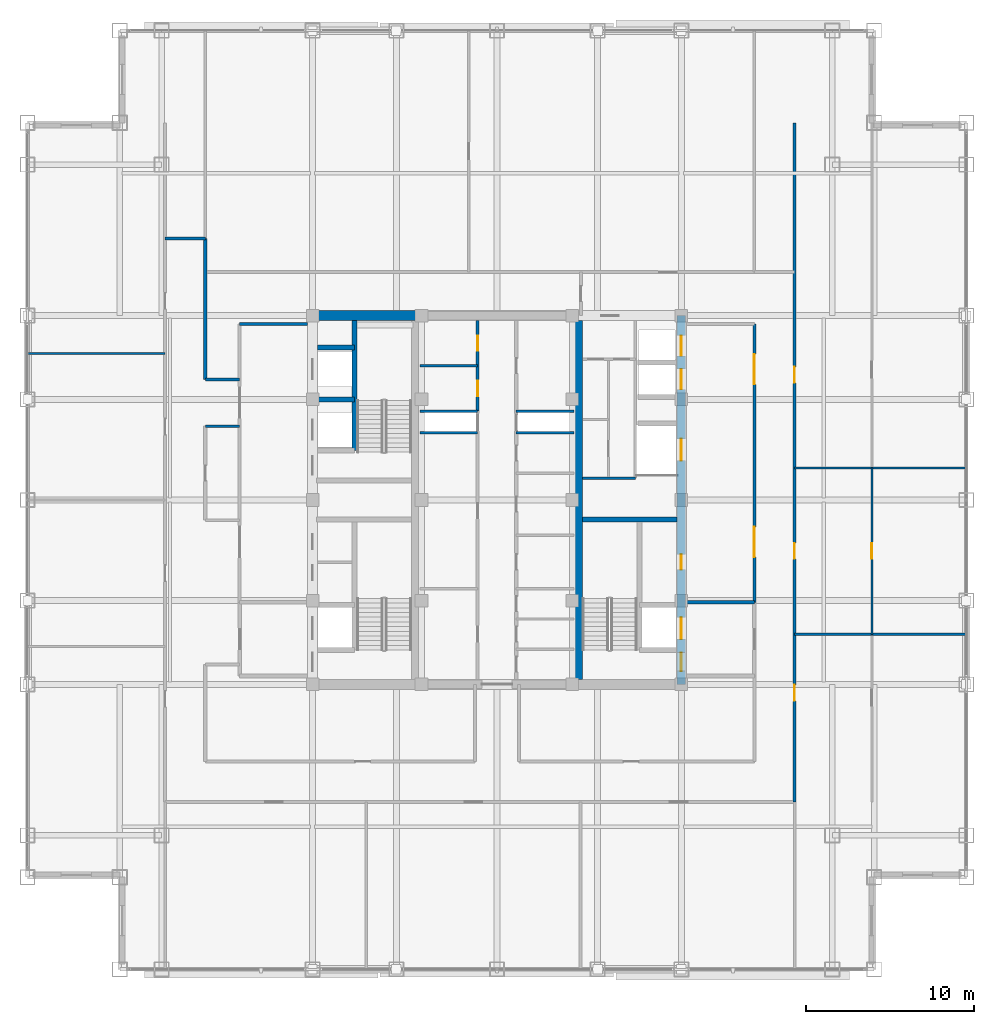
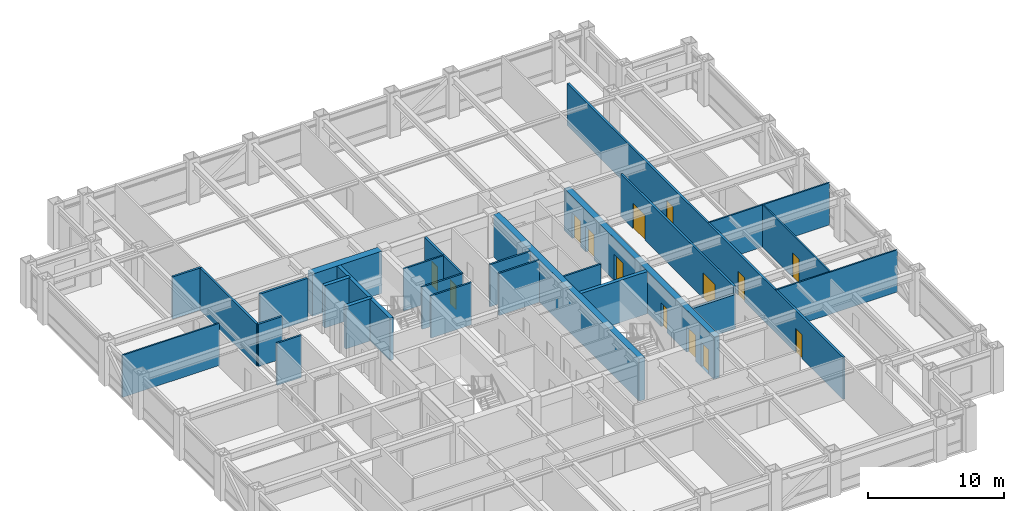
# One storey, part 20 of 27: 26 walls, 14 doors, 14 openings.
"""IFC4 building model written with IfcOpenShell, lengths in metres."""

from ifc_helpers import new_model, si_unit, direction, frame, frame_2d, origin, place, context, subcontext, project, spatial, rectangle, extrude, source, transform, mapped, material, layer, layer_set, type_object, element, fill, save


model = new_model("IFC4")

# Units and contexts
model_context = context("Model", 3, precision=1e-05, world=origin(), true_north=direction((0.0, 1.0)))
body_context = subcontext(model_context, "Body", "Model", "MODEL_VIEW")
ifc_project = project(units=[si_unit("LENGTHUNIT", "METRE"), si_unit("AREAUNIT", "SQUARE_METRE"), si_unit("VOLUMEUNIT", "CUBIC_METRE"), si_unit("PLANEANGLEUNIT", "RADIAN"), si_unit("MASSUNIT", "GRAM", prefix="KILO")], contexts=[model_context])

# Site, building, storey
site_placement = place(None, origin())
site = spatial("IfcSite", under=ifc_project, at=site_placement, CompositionType="ELEMENT")
building_placement = place(site_placement, origin())
building = spatial("IfcBuilding", under=site, at=building_placement, Name="Khorayat Bourse Tower", CompositionType="ELEMENT")
storey_placement = place(building_placement, frame((0.0, 0.0, 317.5)))
storey = spatial("IfcBuildingStorey", under=building, at=storey_placement, Name="L75", CompositionType="ELEMENT", Elevation=317.5)

# Wall, openings, doors
ifc_material_1 = material(Name="Concrete C52/65", Category="concrete")
ifc_layer_1 = layer(ifc_material_1, 0.5)
ifc_layer_set_1 = layer_set([ifc_layer_1], Name="Concrete C52/65")
wall_type_1 = type_object("IfcWallType", Name="WAL-CORE-500", PredefinedType="SHEAR", material=ifc_layer_set_1)
shared_shape_1 = source(origin(), body_context, "Body", "SweptSolid", [
    extrude(rectangle(XDim=22.0, YDim=0.5, at=frame_2d((11.0, 0.0))), origin(), (0.0, 0.0, 1.0), 3.780029296875),
])
wall_1_placement = place(storey_placement, frame((11.0, -11.0, 0.0), z_axis=(0.0, 0.0, 1.0), x_axis=(0.0, 1.0, 0.0)))
wall_1 = element("IfcWall", 1, at=wall_1_placement, inside=storey, type_object=wall_type_1, Name="L75 Core Shear Wall CORE-E", PredefinedType="SHEAR", context=body_context, shape_type="MappedRepresentation", body=[
    mapped(shared_shape_1, transform((0.0, 0.0, 0.0), scale=1.0)),
])
shared_shape_2 = source(origin(), body_context, "Body", "SweptSolid", [
    extrude(rectangle(XDim=1.10009765625, YDim=2.199951171875, at=frame_2d((0.550048828125, 1.10009765625))), frame((0.0, 0.260009765625, 0.0), z_axis=(0.0, -1.0, 0.0), x_axis=(1.0, 0.0, 0.0)), (0.0, 0.0, 1.0), 0.52001953125),
])
opening_1_placement = place(wall_1_placement, frame((0.800048828125, 0.0, 0.0)))
opening_1 = element("IfcOpeningElement", 2, at=opening_1_placement, cuts=wall_1, Name="Opening DI-01", PredefinedType="OPENING", context=body_context, shape_type="MappedRepresentation", body=[
    mapped(shared_shape_2, transform((0.0, 0.0, 0.0), scale=1.0)),
])
shared_shape_3 = source(origin(), body_context, "Body", "SweptSolid", [
    extrude(rectangle(XDim=0.89990234375, YDim=2.14990234375, at=frame_2d((0.449951171875, 1.074951171875))), frame((0.0, 0.260009765625, 0.0), z_axis=(0.0, -1.0, 0.0), x_axis=(1.0, 0.0, 0.0)), (0.0, 0.0, 1.0), 0.52001953125),
])
opening_2_placement = place(wall_1_placement, frame((6.85009765625, 0.0, 0.0)))
opening_2 = element("IfcOpeningElement", 3, at=opening_2_placement, cuts=wall_1, Name="Opening DI-06", PredefinedType="OPENING", context=body_context, shape_type="MappedRepresentation", body=[
    mapped(shared_shape_3, transform((0.0, 0.0, 0.0), scale=1.0)),
])
shared_shape_4 = source(origin(), body_context, "Body", "SweptSolid", [
    extrude(rectangle(XDim=1.199951171875, YDim=2.300048828125, at=frame_2d((0.60009765625, 1.14990234375))), frame((0.0, 0.260009765625, 0.0), z_axis=(0.0, -1.0, 0.0), x_axis=(1.0, 0.0, 0.0)), (0.0, 0.0, 1.0), 0.52001953125),
])
opening_3_placement = place(wall_1_placement, frame((17.60009765625, 0.0, 0.0)))
opening_3 = element("IfcOpeningElement", 4, at=opening_3_placement, cuts=wall_1, Name="Opening LD-01", PredefinedType="OPENING", context=body_context, shape_type="MappedRepresentation", body=[
    mapped(shared_shape_4, transform((0.0, 0.0, 0.0), scale=1.0)),
])
opening_4_placement = place(wall_1_placement, frame((19.60009765625, 0.0, 0.0)))
opening_4 = element("IfcOpeningElement", 5, at=opening_4_placement, cuts=wall_1, Name="Opening LD-01", PredefinedType="OPENING", context=body_context, shape_type="MappedRepresentation", body=[
    mapped(shared_shape_4, transform((0.0, 0.0, 0.0), scale=1.0)),
])
shared_shape_5 = source(origin(), body_context, "Body", "SweptSolid", [
    extrude(rectangle(XDim=1.300048828125, YDim=2.300048828125, at=frame_2d((0.64990234375, 1.14990234375))), frame((0.0, 0.260009765625, 0.0), z_axis=(0.0, -1.0, 0.0), x_axis=(1.0, 0.0, 0.0)), (0.0, 0.0, 1.0), 0.52001953125),
])
opening_5_placement = place(wall_1_placement, frame((2.699951171875, 0.0, 0.0)))
opening_5 = element("IfcOpeningElement", 6, at=opening_5_placement, cuts=wall_1, Name="Opening LD-02", PredefinedType="OPENING", context=body_context, shape_type="MappedRepresentation", body=[
    mapped(shared_shape_5, transform((0.0, 0.0, 0.0), scale=1.0)),
])
opening_6_placement = place(wall_1_placement, frame((13.35009765625, 0.0, 0.0)))
opening_6 = element("IfcOpeningElement", 7, at=opening_6_placement, cuts=wall_1, Name="Opening LD-02", PredefinedType="OPENING", context=body_context, shape_type="MappedRepresentation", body=[
    mapped(shared_shape_5, transform((0.0, 0.0, 0.0), scale=1.0)),
])
ifc_material_2 = material(Name="Fire-rated steel acoustic leaf", Category="steel")
door_type_1 = type_object("IfcDoorType", Name="DR-INT-STAIR-1100", OperationType="NOTDEFINED", PredefinedType="DOOR", material=ifc_material_2)
shared_shape_6 = source(origin(), body_context, "Body", "SweptSolid", [
    extrude(rectangle(XDim=1.10009765625, YDim=2.199951171875, at=frame_2d((0.550048828125, 1.10009765625))), frame((0.0, 0.02490234375, 0.0), z_axis=(0.0, -1.0, 0.0), x_axis=(1.0, 0.0, 0.0)), (0.0, 0.0, 1.0), 0.050048828125),
])
door_1_placement = place(opening_1_placement, origin())
door_1 = element("IfcDoor", 8, at=door_1_placement, inside=storey, type_object=door_type_1, Name="L75 Exit Stair 3 Door", OperationType="SINGLE_SWING_LEFT", OverallHeight=2.199951171875, OverallWidth=1.10009765625, PredefinedType="DOOR", context=body_context, shape_type="MappedRepresentation", body=[
    mapped(shared_shape_6, transform((0.0, 0.0, 0.0), scale=1.0)),
])
fill(opening_1, door_1)
ifc_material_3 = material(Name="Moisture-resistant laminate washroom door")
door_type_2 = type_object("IfcDoorType", Name="DR-INT-WC-900", OperationType="NOTDEFINED", PredefinedType="DOOR", material=ifc_material_3)
shared_shape_7 = source(origin(), body_context, "Body", "SweptSolid", [
    extrude(rectangle(XDim=0.89990234375, YDim=2.14990234375, at=frame_2d((0.449951171875, 1.074951171875))), frame((0.0, 0.02490234375, 0.0), z_axis=(0.0, -1.0, 0.0), x_axis=(1.0, 0.0, 0.0)), (0.0, 0.0, 1.0), 0.050048828125),
])
door_2_placement = place(opening_2_placement, origin())
door_2 = element("IfcDoor", 9, at=door_2_placement, inside=storey, type_object=door_type_2, Name="L75 Telecom Server Plant Room Door", OperationType="SINGLE_SWING_LEFT", OverallHeight=2.14990234375, OverallWidth=0.89990234375, PredefinedType="DOOR", context=body_context, shape_type="MappedRepresentation", body=[
    mapped(shared_shape_7, transform((0.0, 0.0, 0.0), scale=1.0)),
])
fill(opening_2, door_2)
ifc_material_4 = material(Name="Brushed bronze stainless-steel sliding door", Category="steel")
door_type_3 = type_object("IfcDoorType", Name="DR-LIFT-PASS-1200", OperationType="NOTDEFINED", PredefinedType="DOOR", material=ifc_material_4)
shared_shape_8 = source(origin(), body_context, "Body", "SweptSolid", [
    extrude(rectangle(XDim=1.199951171875, YDim=2.300048828125, at=frame_2d((0.60009765625, 1.14990234375))), frame((0.0, 0.02490234375, 0.0), z_axis=(0.0, -1.0, 0.0), x_axis=(1.0, 0.0, 0.0)), (0.0, 0.0, 1.0), 0.050048828125),
])
door_3_placement = place(opening_3_placement, origin())
door_3 = element("IfcDoor", 10, at=door_3_placement, inside=storey, type_object=door_type_3, Name="L75 Lift PL-H3 Sliding Landing Door", OperationType="SLIDING_TO_LEFT", OverallHeight=2.300048828125, OverallWidth=1.199951171875, PredefinedType="DOOR", context=body_context, shape_type="MappedRepresentation", body=[
    mapped(shared_shape_8, transform((0.0, 0.0, 0.0), scale=1.0)),
])
fill(opening_3, door_3)
door_4_placement = place(opening_4_placement, origin())
door_4 = element("IfcDoor", 11, at=door_4_placement, inside=storey, type_object=door_type_3, Name="L75 Lift PL-H4 Sliding Landing Door", OperationType="SLIDING_TO_LEFT", OverallHeight=2.300048828125, OverallWidth=1.199951171875, PredefinedType="DOOR", context=body_context, shape_type="MappedRepresentation", body=[
    mapped(shared_shape_8, transform((0.0, 0.0, 0.0), scale=1.0)),
])
fill(opening_4, door_4)
ifc_material_5 = material(Name="Fire-rated stainless-steel sliding landing door", Category="steel")
door_type_4 = type_object("IfcDoorType", Name="DR-LIFT-FF-1300", OperationType="NOTDEFINED", PredefinedType="DOOR", material=ifc_material_5)
shared_shape_9 = source(origin(), body_context, "Body", "SweptSolid", [
    extrude(rectangle(XDim=1.300048828125, YDim=2.300048828125, at=frame_2d((0.64990234375, 1.14990234375))), frame((0.0, 0.02490234375, 0.0), z_axis=(0.0, -1.0, 0.0), x_axis=(1.0, 0.0, 0.0)), (0.0, 0.0, 1.0), 0.050048828125),
])
door_5_placement = place(opening_5_placement, origin())
door_5 = element("IfcDoor", 12, at=door_5_placement, inside=storey, type_object=door_type_4, Name="L75 Lift FFL-02 Sliding Landing Door", OperationType="SLIDING_TO_LEFT", OverallHeight=2.300048828125, OverallWidth=1.300048828125, PredefinedType="DOOR", context=body_context, shape_type="MappedRepresentation", body=[
    mapped(shared_shape_9, transform((0.0, 0.0, 0.0), scale=1.0)),
])
fill(opening_5, door_5)
door_6_placement = place(opening_6_placement, origin())
door_6 = element("IfcDoor", 13, at=door_6_placement, inside=storey, type_object=door_type_4, Name="L75 Lift SVL-01 Sliding Landing Door", OperationType="SLIDING_TO_LEFT", OverallHeight=2.300048828125, OverallWidth=1.300048828125, PredefinedType="DOOR", context=body_context, shape_type="MappedRepresentation", body=[
    mapped(shared_shape_9, transform((0.0, 0.0, 0.0), scale=1.0)),
])
fill(opening_6, door_6)

# Walls
shared_shape_10 = source(origin(), body_context, "Body", "SweptSolid", [
    extrude(rectangle(XDim=21.39990234375, YDim=0.5, at=frame_2d((10.699951171875, 0.0))), origin(), (0.0, 0.0, 1.0), 3.780029296875),
])
wall_2_placement = place(storey_placement, frame((4.85009765625, -10.699951171875, 0.0), z_axis=(0.0, 0.0, 1.0), x_axis=(0.0, 1.0, 0.0)))
element("IfcWall", 14, at=wall_2_placement, inside=storey, type_object=wall_type_1, Name="L75 Core Shear Wall PIER-E", PredefinedType="SHEAR", context=body_context, shape_type="MappedRepresentation", body=[
    mapped(shared_shape_10, transform((0.0, 0.0, 0.0), scale=1.0)),
])
ifc_material_6 = material(Name="Concrete C60/75", Category="concrete")
ifc_layer_2 = layer(ifc_material_6, 0.60009765625)
ifc_layer_set_2 = layer_set([ifc_layer_2], Name="Concrete C60/75")
wall_type_2 = type_object("IfcWallType", Name="WAL-CORE-600", PredefinedType="SHEAR", material=ifc_layer_set_2)
shared_shape_11 = source(origin(), body_context, "Body", "SweptSolid", [
    extrude(rectangle(XDim=5.89990234375, YDim=0.60009765625, at=frame_2d((2.949951171875, 0.0))), origin(), (0.0, 0.0, 1.0), 3.780029296875),
])
wall_3_placement = place(storey_placement, frame((-10.75, 11.0, 0.0), z_axis=(0.0, 0.0, 1.0), x_axis=(1.0, 0.0, 0.0)))
element("IfcWall", 15, at=wall_3_placement, inside=storey, type_object=wall_type_2, Name="L75 Core Shear Wall PIER-WN", PredefinedType="SHEAR", context=body_context, shape_type="MappedRepresentation", body=[
    mapped(shared_shape_11, transform((0.0, 0.0, 0.0), scale=1.0)),
])
ifc_material_7 = material(Name="Concrete C50/60", Category="concrete")
ifc_layer_3 = layer(ifc_material_7, 0.300048828125)
ifc_layer_set_3 = layer_set([ifc_layer_3], Name="Concrete C50/60")
wall_type_3 = type_object("IfcWallType", Name="WAL-SHAFT-300", PredefinedType="SHEAR", material=ifc_layer_set_3)
shared_shape_12 = source(origin(), body_context, "Body", "SweptSolid", [
    extrude(rectangle(XDim=5.64990234375, YDim=0.300048828125, at=frame_2d((2.824951171875, 0.0))), origin(), (0.0, 0.0, 1.0), 3.780029296875),
])
wall_4_placement = place(storey_placement, frame((5.10009765625, -1.14990234375, 0.0), z_axis=(0.0, 0.0, 1.0), x_axis=(1.0, 0.0, 0.0)))
element("IfcWall", 16, at=wall_4_placement, inside=storey, type_object=wall_type_3, Name="L75 Core Shear Wall ST3-DIV", PredefinedType="SHEAR", context=body_context, shape_type="MappedRepresentation", body=[
    mapped(shared_shape_12, transform((0.0, 0.0, 0.0), scale=1.0)),
])
ifc_material_8 = material(Name="Aerated concrete blockwork", Category="masonry")
ifc_layer_4 = layer(ifc_material_8, 0.219970703125)
ifc_layer_set_4 = layer_set([ifc_layer_4], Name="Aerated concrete blockwork")
wall_type_4 = type_object("IfcWallType", Name="WAL-PART-FF-220", PredefinedType="PARTITIONING", material=ifc_layer_set_4)
shared_shape_13 = source(origin(), body_context, "Body", "SweptSolid", [
    extrude(rectangle(XDim=4.050048828125, YDim=0.219970703125, at=frame_2d((2.02490234375, 0.0))), origin(), (0.0, 0.0, 1.0), 3.0849609375),
])
wall_5_placement = place(storey_placement, frame((11.300048828125, -6.10009765625, 0.0), z_axis=(0.0, 0.0, 1.0), x_axis=(1.0, 0.0, 0.0)))
element("IfcWall", 17, at=wall_5_placement, inside=storey, type_object=wall_type_4, Name="L75 Partition WAL-L75-FFLE-N", PredefinedType="PARTITIONING", context=body_context, shape_type="MappedRepresentation", body=[
    mapped(shared_shape_13, transform((0.0, 0.0, 0.0), scale=1.0)),
])
shared_shape_14 = source(origin(), body_context, "Body", "SweptSolid", [
    extrude(rectangle(XDim=2.199951171875, YDim=0.300048828125, at=frame_2d((1.10009765625, 0.0))), origin(), (0.0, 0.0, 1.0), 3.780029296875),
])
for number, where, z_axis, x_axis, name in (
    (18, (-10.699951171875, 6.0, 0.0), (0.0, 0.0, 1.0), (1.0, 0.0, 0.0), "L75 Partition WAL-L75-WPIER-H12"),
    (19, (-10.699951171875, 9.10009765625, 0.0), (0.0, 0.0, 1.0), (1.0, 0.0, 0.0), "L75 Partition WAL-L75-WPIER-H2N"),
):
    element("IfcWall", number, at=place(storey_placement, frame(where, z_axis=z_axis, x_axis=x_axis)), inside=storey, type_object=wall_type_3, Name=name, PredefinedType="SHEAR", context=body_context, shape_type="MappedRepresentation", body=[
        mapped(shared_shape_14, transform((0.0, 0.0, 0.0), scale=1.0)),
    ])
shared_shape_15 = source(origin(), body_context, "Body", "SweptSolid", [
    extrude(rectangle(XDim=7.75, YDim=0.300048828125, at=frame_2d((3.875, 0.0))), origin(), (0.0, 0.0, 1.0), 3.780029296875),
])
wall_6_placement = place(storey_placement, frame((-8.5, 2.949951171875, 0.0), z_axis=(0.0, 0.0, 1.0), x_axis=(0.0, 1.0, 0.0)))
element("IfcWall", 20, at=wall_6_placement, inside=storey, type_object=wall_type_3, Name="L75 Partition WAL-L75-WPIER-ST2S", PredefinedType="SHEAR", context=body_context, shape_type="MappedRepresentation", body=[
    mapped(shared_shape_15, transform((0.0, 0.0, 0.0), scale=1.0)),
])
ifc_material_9 = material(Name="Moisture-resistant masonry partition", Category="masonry")
ifc_layer_5 = layer(ifc_material_9, 0.139892578125)
ifc_layer_set_5 = layer_set([ifc_layer_5], Name="Moisture-resistant masonry partition")
wall_type_5 = type_object("IfcWallType", Name="WAL-PART-WET-140", PredefinedType="PARTITIONING", material=ifc_layer_set_5)
shared_shape_16 = source(origin(), body_context, "Body", "SweptSolid", [
    extrude(rectangle(XDim=3.14990234375, YDim=0.139892578125, at=frame_2d((1.574951171875, 0.0))), origin(), (0.0, 0.0, 1.0), 3.780029296875),
])
wall_7_placement = place(storey_placement, frame((5.10009765625, 1.300048828125, 0.0), z_axis=(0.0, 0.0, 1.0), x_axis=(1.0, 0.0, 0.0)))
element("IfcWall", 21, at=wall_7_placement, inside=storey, type_object=wall_type_5, Name="L75 Partition WAL-L75-ECORE-S", PredefinedType="PARTITIONING", context=body_context, shape_type="MappedRepresentation", body=[
    mapped(shared_shape_16, transform((0.0, 0.0, 0.0), scale=1.0)),
])
ifc_material_10 = material(Name="Gypsum plasterboard acoustic stud wall")
ifc_layer_6 = layer(ifc_material_10, 0.179931640625)
ifc_layer_set_6 = layer_set([ifc_layer_6], Name="Gypsum plasterboard acoustic stud wall")
wall_type_6 = type_object("IfcWallType", Name="WAL-PART-CORR-180", PredefinedType="PARTITIONING", material=ifc_layer_set_6)
shared_shape_17 = source(origin(), body_context, "Body", "SweptSolid", [
    extrude(rectangle(XDim=4.050048828125, YDim=0.179931640625, at=frame_2d((2.02490234375, 0.0))), origin(), (0.0, 0.0, 1.0), 3.780029296875),
])
wall_8_placement = place(storey_placement, frame((-15.35009765625, 10.5, 0.0), z_axis=(0.0, 0.0, 1.0), x_axis=(1.0, 0.0, 0.0)))
element("IfcWall", 22, at=wall_8_placement, inside=storey, type_object=wall_type_6, Name="L75 Partition WAL-L75-WLOB-N", PredefinedType="PARTITIONING", context=body_context, shape_type="MappedRepresentation", body=[
    mapped(shared_shape_17, transform((0.0, 0.0, 0.0), scale=1.0)),
])

# Wall, openings, doors
shared_shape_18 = source(origin(), body_context, "Body", "SweptSolid", [
    extrude(rectangle(XDim=16.60009765625, YDim=0.179931640625, at=frame_2d((8.300048828125, 0.0))), origin(), (0.0, 0.0, 1.0), 3.780029296875),
])
wall_9_placement = place(storey_placement, frame((15.35009765625, -6.10009765625, 0.0), z_axis=(0.0, 0.0, 1.0), x_axis=(0.0, 1.0, 0.0)))
wall_9 = element("IfcWall", 23, at=wall_9_placement, inside=storey, type_object=wall_type_6, Name="L75 Partition WAL-L75-ELOB-E", PredefinedType="PARTITIONING", context=body_context, shape_type="MappedRepresentation", body=[
    mapped(shared_shape_18, transform((0.0, 0.0, 0.0), scale=1.0)),
])
shared_shape_19 = source(origin(), body_context, "Body", "SweptSolid", [
    extrude(rectangle(XDim=1.800048828125, YDim=2.25, at=frame_2d((0.89990234375, 1.125))), frame((0.0, 0.099853515625, 0.0), z_axis=(0.0, -1.0, 0.0), x_axis=(1.0, 0.0, 0.0)), (0.0, 0.0, 1.0), 0.199951171875),
])
opening_7_placement = place(wall_9_placement, frame((2.699951171875, 0.0, 0.0)))
opening_7 = element("IfcOpeningElement", 24, at=opening_7_placement, cuts=wall_9, Name="Opening DI-03", PredefinedType="OPENING", context=body_context, shape_type="MappedRepresentation", body=[
    mapped(shared_shape_19, transform((0.0, 0.0, 0.0), scale=1.0)),
])
opening_8_placement = place(wall_9_placement, frame((13.0, 0.0, 0.0)))
opening_8 = element("IfcOpeningElement", 25, at=opening_8_placement, cuts=wall_9, Name="Opening DI-03", PredefinedType="OPENING", context=body_context, shape_type="MappedRepresentation", body=[
    mapped(shared_shape_19, transform((0.0, 0.0, 0.0), scale=1.0)),
])
ifc_material_11 = material(Name="Fire-rated hardwood vision-panel double leaf", Category="wood")
door_type_5 = type_object("IfcDoorType", Name="DR-INT-CORR-1800", OperationType="NOTDEFINED", PredefinedType="DOOR", material=ifc_material_11)
shared_shape_20 = source(origin(), body_context, "Body", "SweptSolid", [
    extrude(rectangle(XDim=1.800048828125, YDim=2.25, at=frame_2d((0.89990234375, 1.125))), frame((0.0, 0.02490234375, 0.0), z_axis=(0.0, -1.0, 0.0), x_axis=(1.0, 0.0, 0.0)), (0.0, 0.0, 1.0), 0.050048828125),
])
door_7_placement = place(opening_7_placement, origin())
door_7 = element("IfcDoor", 26, at=door_7_placement, inside=storey, type_object=door_type_5, Name="L75 East Core Lobby South Door", OperationType="SINGLE_SWING_RIGHT", OverallHeight=2.25, OverallWidth=1.800048828125, PredefinedType="DOOR", context=body_context, shape_type="MappedRepresentation", body=[
    mapped(shared_shape_20, transform((0.0, 0.0, 0.0), scale=1.0)),
])
fill(opening_7, door_7)
door_8_placement = place(opening_8_placement, origin())
door_8 = element("IfcDoor", 27, at=door_8_placement, inside=storey, type_object=door_type_5, Name="L75 East Core Lobby North Door", OperationType="SINGLE_SWING_LEFT", OverallHeight=2.25, OverallWidth=1.800048828125, PredefinedType="DOOR", context=body_context, shape_type="MappedRepresentation", body=[
    mapped(shared_shape_20, transform((0.0, 0.0, 0.0), scale=1.0)),
])
fill(opening_8, door_8)

# Walls
ifc_material_12 = material(Name="Gypsum plasterboard twin-frame partition")
ifc_layer_7 = layer(ifc_material_12, 0.14990234375)
ifc_layer_set_7 = layer_set([ifc_layer_7], Name="Gypsum plasterboard twin-frame partition")
wall_type_7 = type_object("IfcWallType", Name="WAL-PART-SUITE-150", PredefinedType="PARTITIONING", material=ifc_layer_set_7)
shared_shape_21 = source(origin(), body_context, "Body", "SweptSolid", [
    extrude(rectangle(XDim=3.4501953125, YDim=0.14990234375, at=frame_2d((1.72509765625, 0.0))), origin(), (0.0, 0.0, 1.0), 3.780029296875),
])
for number, where, z_axis, x_axis, name in (
    (28, (-4.60009765625, 4.0, 0.0), (0.0, 0.0, 1.0), (1.0, 0.0, 0.0), "L75 Partition WAL-L75-CRSW-S"),
    (29, (1.14990234375, 4.0, 0.0), (0.0, 0.0, 1.0), (1.0, 0.0, 0.0), "L75 Partition WAL-L75-CRSE-S"),
    (30, (-4.60009765625, 5.300048828125, 0.0), (0.0, 0.0, 1.0), (1.0, 0.0, 0.0), "L75 Partition WAL-L75-FB2-SW"),
    (31, (1.14990234375, 5.300048828125, 0.0), (0.0, 0.0, 1.0), (1.0, 0.0, 0.0), "L75 Partition WAL-L75-FB2-SE"),
):
    element("IfcWall", number, at=place(storey_placement, frame(where, z_axis=z_axis, x_axis=x_axis)), inside=storey, type_object=wall_type_7, Name=name, PredefinedType="PARTITIONING", context=body_context, shape_type="MappedRepresentation", body=[
        mapped(shared_shape_21, transform((0.0, 0.0, 0.0), scale=1.0)),
    ])

# Wall, openings, doors
shared_shape_22 = source(origin(), body_context, "Body", "SweptSolid", [
    extrude(rectangle(XDim=5.39990234375, YDim=0.179931640625, at=frame_2d((2.699951171875, 0.0))), origin(), (0.0, 0.0, 1.0), 3.780029296875),
])
wall_10_placement = place(storey_placement, frame((-1.14990234375, 5.300048828125, 0.0), z_axis=(0.0, 0.0, 1.0), x_axis=(0.0, 1.0, 0.0)))
wall_10 = element("IfcWall", 32, at=wall_10_placement, inside=storey, type_object=wall_type_6, Name="L75 Partition WAL-L75-FB2W-L", PredefinedType="PARTITIONING", context=body_context, shape_type="MappedRepresentation", body=[
    mapped(shared_shape_22, transform((0.0, 0.0, 0.0), scale=1.0)),
])
shared_shape_23 = source(origin(), body_context, "Body", "SweptSolid", [
    extrude(rectangle(XDim=0.89990234375, YDim=2.14990234375, at=frame_2d((0.449951171875, 1.074951171875))), frame((0.0, 0.099853515625, 0.0), z_axis=(0.0, -1.0, 0.0), x_axis=(1.0, 0.0, 0.0)), (0.0, 0.0, 1.0), 0.199951171875),
])
opening_9_placement = place(wall_10_placement, frame((0.89990234375, 0.0, 0.0)))
opening_9 = element("IfcOpeningElement", 33, at=opening_9_placement, cuts=wall_10, Name="Opening DI-06", PredefinedType="OPENING", context=body_context, shape_type="MappedRepresentation", body=[
    mapped(shared_shape_23, transform((0.0, 0.0, 0.0), scale=1.0)),
])
opening_10_placement = place(wall_10_placement, frame((3.60009765625, 0.0, 0.0)))
opening_10 = element("IfcOpeningElement", 34, at=opening_10_placement, cuts=wall_10, Name="Opening DI-06", PredefinedType="OPENING", context=body_context, shape_type="MappedRepresentation", body=[
    mapped(shared_shape_23, transform((0.0, 0.0, 0.0), scale=1.0)),
])
door_9_placement = place(opening_9_placement, origin())
door_9 = element("IfcDoor", 35, at=door_9_placement, inside=storey, type_object=door_type_2, Name="L75 BMS Server Plant Room Door", OperationType="SINGLE_SWING_RIGHT", OverallHeight=2.14990234375, OverallWidth=0.89990234375, PredefinedType="DOOR", context=body_context, shape_type="MappedRepresentation", body=[
    mapped(shared_shape_7, transform((0.0, 0.0, 0.0), scale=1.0)),
])
fill(opening_9, door_9)
door_10_placement = place(opening_10_placement, origin())
door_10 = element("IfcDoor", 36, at=door_10_placement, inside=storey, type_object=door_type_2, Name="L75 Executive Supply Store Door", OperationType="SINGLE_SWING_LEFT", OverallHeight=2.14990234375, OverallWidth=0.89990234375, PredefinedType="DOOR", context=body_context, shape_type="MappedRepresentation", body=[
    mapped(shared_shape_7, transform((0.0, 0.0, 0.0), scale=1.0)),
])
fill(opening_10, door_10)

# Walls
shared_shape_24 = source(origin(), body_context, "Body", "SweptSolid", [
    extrude(rectangle(XDim=3.4501953125, YDim=0.139892578125, at=frame_2d((1.72509765625, 0.0))), origin(), (0.0, 0.0, 1.0), 3.780029296875),
])
wall_11_placement = place(storey_placement, frame((-4.60009765625, 8.0, 0.0), z_axis=(0.0, 0.0, 1.0), x_axis=(1.0, 0.0, 0.0)))
element("IfcWall", 37, at=wall_11_placement, inside=storey, type_object=wall_type_5, Name="L75 Partition WAL-L75-FB2W-D1", PredefinedType="PARTITIONING", context=body_context, shape_type="MappedRepresentation", body=[
    mapped(shared_shape_24, transform((0.0, 0.0, 0.0), scale=1.0)),
])
shared_shape_25 = source(origin(), body_context, "Body", "SweptSolid", [
    extrude(rectangle(XDim=2.0498046875, YDim=0.14990234375, at=frame_2d((1.02490234375, 0.0))), origin(), (0.0, 0.0, 1.0), 3.780029296875),
])
wall_12_placement = place(storey_placement, frame((-17.39990234375, 4.39990234375, 0.0), z_axis=(0.0, 0.0, 1.0), x_axis=(1.0, 0.0, 0.0)))
element("IfcWall", 38, at=wall_12_placement, inside=storey, type_object=wall_type_7, Name="L75 Partition WAL-L75-PKWM-N", PredefinedType="PARTITIONING", context=body_context, shape_type="MappedRepresentation", body=[
    mapped(shared_shape_25, transform((0.0, 0.0, 0.0), scale=1.0)),
])
shared_shape_26 = source(origin(), body_context, "Body", "SweptSolid", [
    extrude(rectangle(XDim=2.0498046875, YDim=0.179931640625, at=frame_2d((1.02490234375, 0.0))), origin(), (0.0, 0.0, 1.0), 3.780029296875),
])
wall_13_placement = place(storey_placement, frame((-17.39990234375, 7.199951171875, 0.0), z_axis=(0.0, 0.0, 1.0), x_axis=(1.0, 0.0, 0.0)))
element("IfcWall", 39, at=wall_13_placement, inside=storey, type_object=wall_type_6, Name="L75 Partition WAL-L75-THRWN-T", PredefinedType="PARTITIONING", context=body_context, shape_type="MappedRepresentation", body=[
    mapped(shared_shape_26, transform((0.0, 0.0, 0.0), scale=1.0)),
])
shared_shape_27 = source(origin(), body_context, "Body", "SweptSolid", [
    extrude(rectangle(XDim=8.400146484375, YDim=0.179931640625, at=frame_2d((4.2001953125, 0.0))), origin(), (0.0, 0.0, 1.0), 3.780029296875),
])
wall_14_placement = place(storey_placement, frame((-17.39990234375, 7.199951171875, 0.0), z_axis=(0.0, 0.0, 1.0), x_axis=(0.0, 1.0, 0.0)))
element("IfcWall", 40, at=wall_14_placement, inside=storey, type_object=wall_type_6, Name="L75 Partition WAL-L75-THRWN-N", PredefinedType="PARTITIONING", context=body_context, shape_type="MappedRepresentation", body=[
    mapped(shared_shape_27, transform((0.0, 0.0, 0.0), scale=1.0)),
])
shared_shape_28 = source(origin(), body_context, "Body", "SweptSolid", [
    extrude(rectangle(XDim=2.400146484375, YDim=0.179931640625, at=frame_2d((1.2001953125, 0.0))), origin(), (0.0, 0.0, 1.0), 3.780029296875),
])
wall_15_placement = place(storey_placement, frame((-19.800048828125, 15.60009765625, 0.0), z_axis=(0.0, 0.0, 1.0), x_axis=(1.0, 0.0, 0.0)))
element("IfcWall", 41, at=wall_15_placement, inside=storey, type_object=wall_type_6, Name="L75 Partition WAL-L75-GALW-N", PredefinedType="PARTITIONING", context=body_context, shape_type="MappedRepresentation", body=[
    mapped(shared_shape_28, transform((0.0, 0.0, 0.0), scale=1.0)),
])
ifc_material_13 = material(Name="Gypsum plasterboard partition")
ifc_layer_8 = layer(ifc_material_13, 0.125)
ifc_layer_set_8 = layer_set([ifc_layer_8], Name="Gypsum plasterboard partition")
wall_type_8 = type_object("IfcWallType", Name="WAL-PART-ROOM-125", PredefinedType="PARTITIONING", material=ifc_layer_set_8)
shared_shape_29 = source(origin(), body_context, "Body", "SweptSolid", [
    extrude(rectangle(XDim=8.199951171875, YDim=0.125, at=frame_2d((4.10009765625, 0.0))), origin(), (0.0, 0.0, 1.0), 3.780029296875),
])
wall_16_placement = place(storey_placement, frame((-28.0, 8.736083984375, 0.0), z_axis=(0.0, 0.0, 1.0), x_axis=(1.0, 0.0, 0.0)))
element("IfcWall", 42, at=wall_16_placement, inside=storey, type_object=wall_type_8, Name="L75 Partition WAL-L75-WDV-3", PredefinedType="PARTITIONING", context=body_context, shape_type="MappedRepresentation", body=[
    mapped(shared_shape_29, transform((0.0, 0.0, 0.0), scale=1.0)),
])
shared_shape_30 = source(origin(), body_context, "Body", "SweptSolid", [
    extrude(rectangle(XDim=10.25, YDim=0.125, at=frame_2d((5.125, 0.0))), origin(), (0.0, 0.0, 1.0), 3.780029296875),
])
for number, where, z_axis, x_axis, name in (
    (43, (17.75, -8.008056640625, 0.0), (0.0, 0.0, 1.0), (1.0, 0.0, 0.0), "L75 Partition WAL-L75-EDV-1"),
    (44, (17.75, 1.919921875, 0.0), (0.0, 0.0, 1.0), (1.0, 0.0, 0.0), "L75 Partition WAL-L75-EDV-2"),
):
    element("IfcWall", number, at=place(storey_placement, frame(where, z_axis=z_axis, x_axis=x_axis)), inside=storey, type_object=wall_type_8, Name=name, PredefinedType="PARTITIONING", context=body_context, shape_type="MappedRepresentation", body=[
        mapped(shared_shape_30, transform((0.0, 0.0, 0.0), scale=1.0)),
    ])

# Wall, opening, door
shared_shape_31 = source(origin(), body_context, "Body", "SweptSolid", [
    extrude(rectangle(XDim=9.927978515625, YDim=0.125, at=frame_2d((4.9638671875, 0.0))), origin(), (0.0, 0.0, 1.0), 3.780029296875),
])
wall_17_placement = place(storey_placement, frame((22.362548828125, -8.008056640625, 0.0), z_axis=(0.0, 0.0, 1.0), x_axis=(0.0, 1.0, 0.0)))
wall_17 = element("IfcWall", 45, at=wall_17_placement, inside=storey, type_object=wall_type_8, Name="L75 Partition WAL-L75-EDP-2", PredefinedType="PARTITIONING", context=body_context, shape_type="MappedRepresentation", body=[
    mapped(shared_shape_31, transform((0.0, 0.0, 0.0), scale=1.0)),
])
shared_shape_32 = source(origin(), body_context, "Body", "SweptSolid", [
    extrude(rectangle(XDim=0.949951171875, YDim=2.14990234375, at=frame_2d((0.47509765625, 1.074951171875))), frame((0.0, 0.072509765625, 0.0), z_axis=(0.0, -1.0, 0.0), x_axis=(1.0, 0.0, 0.0)), (0.0, 0.0, 1.0), 0.14501953125),
])
opening_11_placement = place(wall_17_placement, frame((4.489013671875, 0.0, 0.0)))
opening_11 = element("IfcOpeningElement", 46, at=opening_11_placement, cuts=wall_17, Name="Opening DI-05", PredefinedType="OPENING", context=body_context, shape_type="MappedRepresentation", body=[
    mapped(shared_shape_32, transform((0.0, 0.0, 0.0), scale=1.0)),
])
ifc_material_14 = material(Name="Acoustic oak veneer office door")
door_type_6 = type_object("IfcDoorType", Name="DR-INT-OFFICE-950", OperationType="NOTDEFINED", PredefinedType="DOOR", material=ifc_material_14)
shared_shape_33 = source(origin(), body_context, "Body", "SweptSolid", [
    extrude(rectangle(XDim=0.949951171875, YDim=2.14990234375, at=frame_2d((0.47509765625, 1.074951171875))), frame((0.0, 0.02490234375, 0.0), z_axis=(0.0, -1.0, 0.0), x_axis=(1.0, 0.0, 0.0)), (0.0, 0.0, 1.0), 0.050048828125),
])
door_11_placement = place(opening_11_placement, origin())
door_11 = element("IfcDoor", 47, at=door_11_placement, inside=storey, type_object=door_type_6, Name="L75 Clearing Operations Office E2B Door", OperationType="SINGLE_SWING_LEFT", OverallHeight=2.14990234375, OverallWidth=0.949951171875, PredefinedType="DOOR", context=body_context, shape_type="MappedRepresentation", body=[
    mapped(shared_shape_33, transform((0.0, 0.0, 0.0), scale=1.0)),
])
fill(opening_11, door_11)

# Wall, openings, doors
shared_shape_34 = source(origin(), body_context, "Body", "SweptSolid", [
    extrude(rectangle(XDim=40.5, YDim=0.179931640625, at=frame_2d((20.25, 0.0))), origin(), (0.0, 0.0, 1.0), 3.780029296875),
])
wall_18_placement = place(storey_placement, frame((17.75, -18.0, 0.0), z_axis=(0.0, 0.0, 1.0), x_axis=(0.0, 1.0, 0.0)))
wall_18 = element("IfcWall", 48, at=wall_18_placement, inside=storey, type_object=wall_type_6, Name="L75 Partition WAL-L75-ECORR", PredefinedType="PARTITIONING", context=body_context, shape_type="MappedRepresentation", body=[
    mapped(shared_shape_34, transform((0.0, 0.0, 0.0), scale=1.0)),
])
shared_shape_35 = source(origin(), body_context, "Body", "SweptSolid", [
    extrude(rectangle(XDim=0.949951171875, YDim=2.14990234375, at=frame_2d((0.47509765625, 1.074951171875))), frame((0.0, 0.099853515625, 0.0), z_axis=(0.0, -1.0, 0.0), x_axis=(1.0, 0.0, 0.0)), (0.0, 0.0, 1.0), 0.199951171875),
])
opening_12_placement = place(wall_18_placement, frame((6.02099609375, 0.0, 0.0)))
opening_12 = element("IfcOpeningElement", 49, at=opening_12_placement, cuts=wall_18, Name="Opening DI-05", PredefinedType="OPENING", context=body_context, shape_type="MappedRepresentation", body=[
    mapped(shared_shape_35, transform((0.0, 0.0, 0.0), scale=1.0)),
])
opening_13_placement = place(wall_18_placement, frame((14.48095703125, 0.0, 0.0)))
opening_13 = element("IfcOpeningElement", 50, at=opening_13_placement, cuts=wall_18, Name="Opening DI-05", PredefinedType="OPENING", context=body_context, shape_type="MappedRepresentation", body=[
    mapped(shared_shape_35, transform((0.0, 0.0, 0.0), scale=1.0)),
])
opening_14_placement = place(wall_18_placement, frame((24.985107421875, 0.0, 0.0)))
opening_14 = element("IfcOpeningElement", 51, at=opening_14_placement, cuts=wall_18, Name="Opening DI-05", PredefinedType="OPENING", context=body_context, shape_type="MappedRepresentation", body=[
    mapped(shared_shape_35, transform((0.0, 0.0, 0.0), scale=1.0)),
])
door_12_placement = place(opening_12_placement, origin())
door_12 = element("IfcDoor", 52, at=door_12_placement, inside=storey, type_object=door_type_6, Name="L75 Quantitative Research Study E1 Door", OperationType="SINGLE_SWING_RIGHT", OverallHeight=2.14990234375, OverallWidth=0.949951171875, PredefinedType="DOOR", context=body_context, shape_type="MappedRepresentation", body=[
    mapped(shared_shape_33, transform((0.0, 0.0, 0.0), scale=1.0)),
])
fill(opening_12, door_12)
door_13_placement = place(opening_13_placement, origin())
door_13 = element("IfcDoor", 53, at=door_13_placement, inside=storey, type_object=door_type_6, Name="L75 Catering Servery Kitchen E2 Door", OperationType="SINGLE_SWING_LEFT", OverallHeight=2.14990234375, OverallWidth=0.949951171875, PredefinedType="DOOR", context=body_context, shape_type="MappedRepresentation", body=[
    mapped(shared_shape_33, transform((0.0, 0.0, 0.0), scale=1.0)),
])
fill(opening_13, door_13)
door_14_placement = place(opening_14_placement, origin())
door_14 = element("IfcDoor", 54, at=door_14_placement, inside=storey, type_object=door_type_6, Name="L75 Market Risk Analytics Workspace E3 Door", OperationType="SINGLE_SWING_RIGHT", OverallHeight=2.14990234375, OverallWidth=0.949951171875, PredefinedType="DOOR", context=body_context, shape_type="MappedRepresentation", body=[
    mapped(shared_shape_33, transform((0.0, 0.0, 0.0), scale=1.0)),
])
fill(opening_14, door_14)

save(model, "model.ifc")
